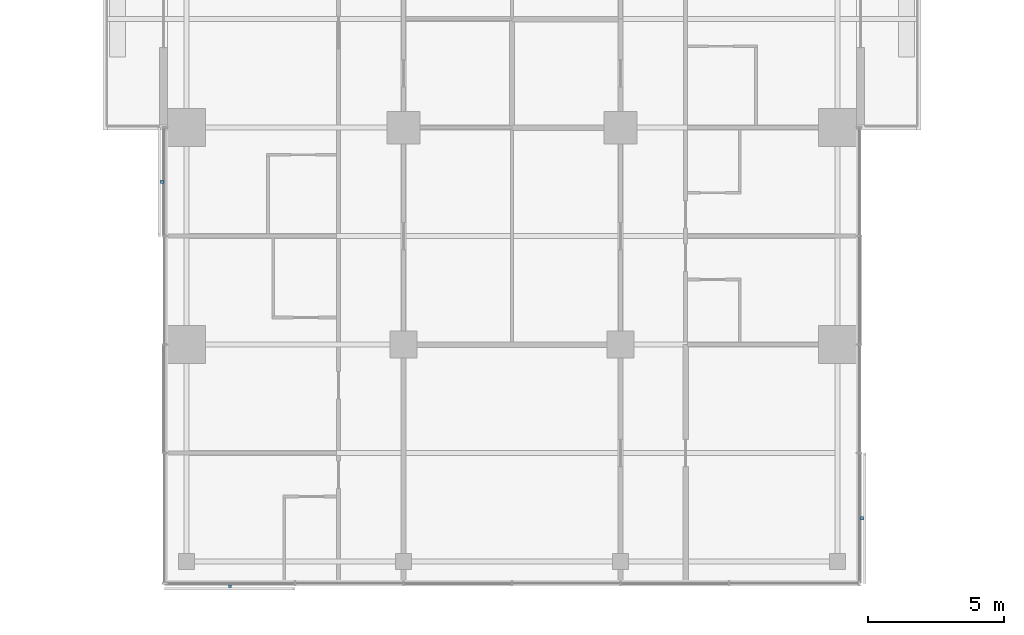
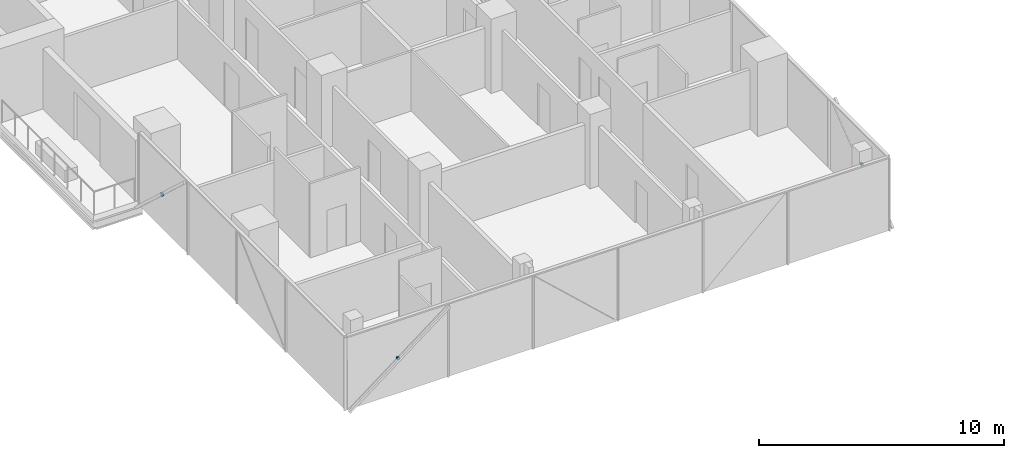
# One storey, part 23 of 27: 3 discrete accessories.
"""IFC4 building model written with IfcOpenShell, lengths in metres."""

from ifc_helpers import new_model, si_unit, direction, frame, origin, origin_2d, place, context, subcontext, project, spatial, rectangle, extrude, material, type_object, element, save


model = new_model("IFC4")

# Units and contexts
model_context = context("Model", 3, precision=1e-05, world=origin(), true_north=direction((0.0, 1.0)))
body_context = subcontext(model_context, "Body", "Model", "MODEL_VIEW")
ifc_project = project(units=[si_unit("LENGTHUNIT", "METRE"), si_unit("AREAUNIT", "SQUARE_METRE"), si_unit("VOLUMEUNIT", "CUBIC_METRE"), si_unit("PLANEANGLEUNIT", "RADIAN"), si_unit("MASSUNIT", "GRAM", prefix="KILO")], contexts=[model_context])

# Site, building, storey
site_placement = place(None, origin())
site = spatial("IfcSite", under=ifc_project, at=site_placement, CompositionType="ELEMENT")
building_placement = place(site_placement, origin())
building = spatial("IfcBuilding", under=site, at=building_placement, Name="Crosswind Convention Tower", CompositionType="ELEMENT")
storey_placement = place(building_placement, frame((0.0, 0.0, 83.10009765625)))
storey = spatial("IfcBuildingStorey", under=building, at=storey_placement, Name="L15", CompositionType="ELEMENT", Elevation=83.10009765625)

# Discrete accessories
ifc_material = material(Name="Stainless steel", Category="steel")
discrete_accessory_type = type_object("IfcDiscreteAccessoryType", Name="BAGUETTE BRACKET BK2", PredefinedType="BRACKET", material=ifc_material)
for number, where, z_axis, x_axis, name in (
    (1, (112.092041015625, 78.0, 1.477294921875), (0.0, 0.0, 1.0), (0.0, -1.0, 0.0), "BK2 baguette bracket"),
    (2, (114.60009765625, 63.092041015625, 1.477294921875), (0.0, 0.0, 1.0), (1.0, 0.0, 0.0), "BK2 baguette bracket"),
    (3, (137.907958984375, 65.60009765625, 1.477294921875), (0.0, 0.0, 1.0), (0.0, 1.0, 0.0), "BK2 baguette bracket"),
):
    element("IfcDiscreteAccessory", number, at=place(storey_placement, frame(where, z_axis=z_axis, x_axis=x_axis)), inside=storey, type_object=discrete_accessory_type, Name=name, PredefinedType="BRACKET", context=body_context, shape_type="SweptSolid", body=[
        extrude(rectangle(XDim=0.1201171875, YDim=0.10009765625, at=origin_2d()), origin(), (0.0, 0.0, 1.0), 0.1201171875),
    ])

save(model, "model.ifc")
